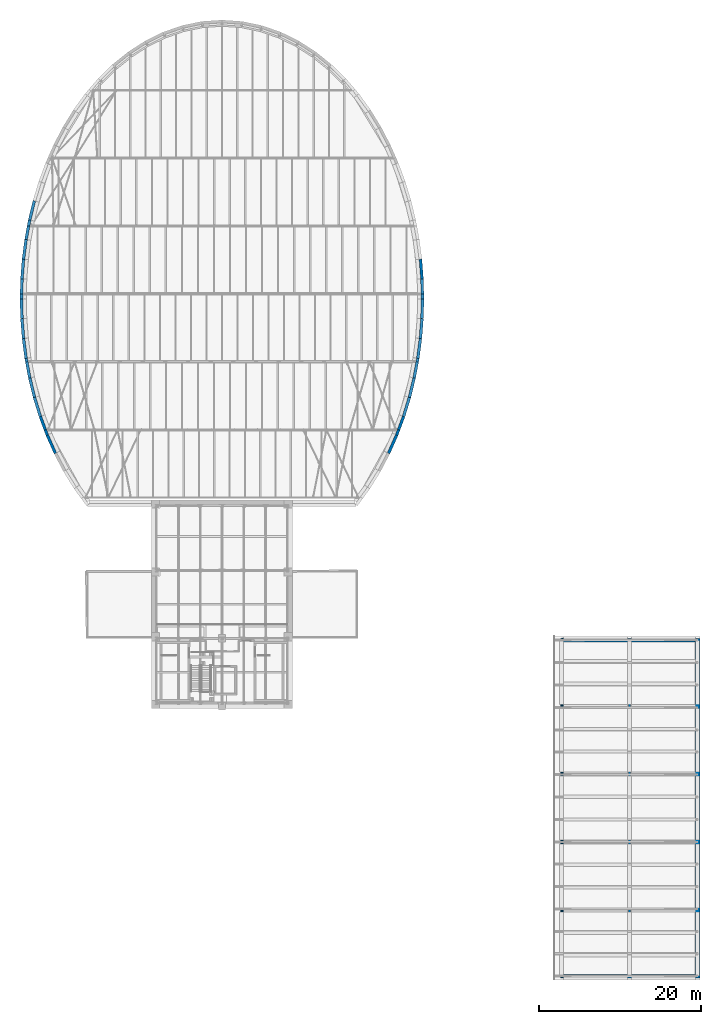
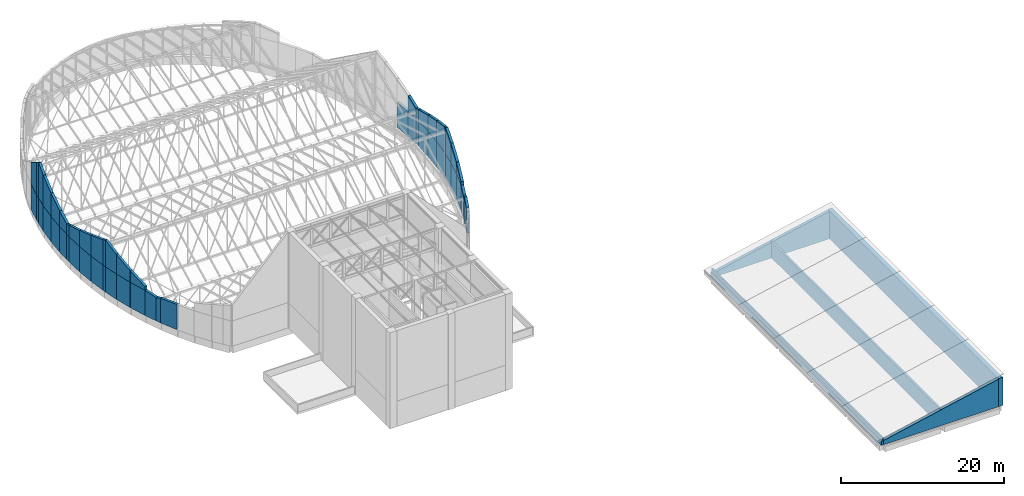
# One storey, part 37 of 68: 59 walls.
"""IFC4 building model written with IfcOpenShell, lengths in metres."""

from ifc_helpers import new_model, si_unit, direction, frame, frame_2d, origin, place, context, subcontext, project, spatial, polyline, rectangle, outline, extrude, material, layer, layer_set, type_object, element, save


model = new_model("IFC4")

# Units and contexts
model_context = context("Model", 3, precision=1e-05, world=origin(), true_north=direction((0.0, 1.0)))
body_context = subcontext(model_context, "Body", "Model", "MODEL_VIEW")
ifc_project = project(units=[si_unit("LENGTHUNIT", "METRE"), si_unit("AREAUNIT", "SQUARE_METRE"), si_unit("VOLUMEUNIT", "CUBIC_METRE"), si_unit("PLANEANGLEUNIT", "RADIAN"), si_unit("MASSUNIT", "GRAM", prefix="KILO")], contexts=[model_context])

# Site, building, storey
site_placement = place(None, origin())
site = spatial("IfcSite", under=ifc_project, at=site_placement, CompositionType="ELEMENT")
building_placement = place(site_placement, origin())
building = spatial("IfcBuilding", under=site, at=building_placement, Name="Larchfold Concert Hall", CompositionType="ELEMENT")
storey_placement = place(building_placement, frame((0.0, 0.0, 28.800048828125)))
storey = spatial("IfcBuildingStorey", under=building, at=storey_placement, Name="L06", CompositionType="ELEMENT", Elevation=28.800048828125)

# Walls
ifc_material_1 = material(Name="White mineral panel on mineral wool")
ifc_layer_1 = layer(ifc_material_1, 0.35009765625)
ifc_layer_set_1 = layer_set([ifc_layer_1], Name="White mineral panel on mineral wool")
wall_type_1 = type_object("IfcWallType", Name="Insulated panel wall 350", PredefinedType="SOLIDWALL", material=ifc_layer_set_1)
wall_1_placement = place(storey_placement, frame((67.4052734375, 84.60009765625, 0.0), z_axis=(0.0, 0.0, 1.0), x_axis=(-0.025949843503, -0.999663246109, 0.0)))
element("IfcWall", 1, at=wall_1_placement, inside=storey, type_object=wall_type_1, Name="Infill wall W5214", PredefinedType="SOLIDWALL", context=body_context, shape_type="SweptSolid", body=[
    extrude(rectangle(XDim=2.46484375, YDim=0.35009765625, at=frame_2d((1.232421875, 0.0))), origin(), (0.0, 0.0, 1.0), 3.800048828125),
])
wall_2_placement = place(storey_placement, frame((67.4052734375, 84.60009765625, 3.800048828125), z_axis=(0.0, 0.0, 1.0), x_axis=(-0.025949843503, -0.999663246109, 0.0)))
element("IfcWall", 2, at=wall_2_placement, inside=storey, type_object=wall_type_1, Name="Infill wall W5215", PredefinedType="SOLIDWALL", context=body_context, shape_type="SweptSolid", body=[
    extrude(outline(polyline([(0.0, 0.0), (2.46484375, 0.0), (2.46484375, 2.41748046875), (0.0, 1.724853515625), (0.0, 0.0)])), frame((0.0, 0.175048828125, 0.0), z_axis=(0.0, -1.0, 0.0), x_axis=(1.0, 0.0, 0.0)), (0.0, 0.0, 1.0), 0.35009765625),
])
wall_3_placement = place(storey_placement, frame((67.34130859375, 82.135986328125, 0.0), z_axis=(0.0, 0.0, 1.0), x_axis=(-0.078044555846, -0.996949872011, 0.0)))
element("IfcWall", 3, at=wall_3_placement, inside=storey, type_object=wall_type_1, Name="Infill wall W5216", PredefinedType="SOLIDWALL", context=body_context, shape_type="SweptSolid", body=[
    extrude(rectangle(XDim=2.465087890625, YDim=0.35009765625, at=frame_2d((1.232421875, 0.0))), origin(), (0.0, 0.0, 1.0), 3.800048828125),
])
wall_4_placement = place(storey_placement, frame((67.34130859375, 82.135986328125, 3.800048828125), z_axis=(0.0, 0.0, 1.0), x_axis=(-0.078044555846, -0.996949872011, 0.0)))
element("IfcWall", 4, at=wall_4_placement, inside=storey, type_object=wall_type_1, Name="Infill wall W5217", PredefinedType="SOLIDWALL", context=body_context, shape_type="SweptSolid", body=[
    extrude(outline(polyline([(0.0, 0.0), (2.465087890625, 0.0), (2.465087890625, 3.11962890625), (0.0, 2.428955078125), (0.0, 0.0)])), frame((0.0, 0.175048828125, 0.0), z_axis=(0.0, -1.0, 0.0), x_axis=(1.0, 0.0, 0.0)), (0.0, 0.0, 1.0), 0.35009765625),
])
wall_5_placement = place(storey_placement, frame((67.14892578125, 79.678466796875, 0.0), z_axis=(0.0, 0.0, 1.0), x_axis=(-0.130528805694, -0.9914445173, 0.0)))
element("IfcWall", 5, at=wall_5_placement, inside=storey, type_object=wall_type_1, Name="Infill wall W5218", PredefinedType="SOLIDWALL", context=body_context, shape_type="SweptSolid", body=[
    extrude(rectangle(XDim=2.465087890625, YDim=0.35009765625, at=frame_2d((1.232421875, 0.0))), origin(), (0.0, 0.0, 1.0), 3.800048828125),
])
wall_6_placement = place(storey_placement, frame((67.14892578125, 79.678466796875, 3.800048828125), z_axis=(0.0, 0.0, 1.0), x_axis=(-0.130528805694, -0.9914445173, 0.0)))
element("IfcWall", 6, at=wall_6_placement, inside=storey, type_object=wall_type_1, Name="Infill wall W5219", PredefinedType="SOLIDWALL", context=body_context, shape_type="SweptSolid", body=[
    extrude(outline(polyline([(0.0, 0.0), (2.465087890625, 0.0), (2.465087890625, 3.81787109375), (0.0, 3.131103515625), (0.0, 0.0)])), frame((0.0, 0.175048828125, 0.0), z_axis=(0.0, -1.0, 0.0), x_axis=(1.0, 0.0, 0.0)), (0.0, 0.0, 1.0), 0.35009765625),
])
wall_7_placement = place(storey_placement, frame((66.8271484375, 77.234375, 0.0), z_axis=(0.0, 0.0, 1.0), x_axis=(-0.183454395516, -0.983028221755, 0.0)))
element("IfcWall", 7, at=wall_7_placement, inside=storey, type_object=wall_type_1, Name="Infill wall W5220", PredefinedType="SOLIDWALL", context=body_context, shape_type="SweptSolid", body=[
    extrude(rectangle(XDim=0.44189453125, YDim=0.35009765625, at=frame_2d((0.220947265625, 0.0))), origin(), (0.0, 0.0, 1.0), 3.800048828125),
])
wall_8_placement = place(storey_placement, frame((66.8271484375, 77.234375, 3.800048828125), z_axis=(0.0, 0.0, 1.0), x_axis=(-0.183454395516, -0.983028221755, 0.0)))
element("IfcWall", 8, at=wall_8_placement, inside=storey, type_object=wall_type_1, Name="Infill wall W5221", PredefinedType="SOLIDWALL", context=body_context, shape_type="SweptSolid", body=[
    extrude(outline(polyline([(0.0, 0.0), (0.44189453125, 0.0), (0.44189453125, 3.942138671875), (0.0, 3.8291015625), (0.0, 0.0)])), frame((0.0, 0.175048828125, 0.0), z_axis=(0.0, -1.0, 0.0), x_axis=(1.0, 0.0, 0.0)), (0.0, 0.0, 1.0), 0.35009765625),
])
wall_9_placement = place(storey_placement, frame((66.74609375, 76.800048828125, 0.0), z_axis=(0.0, 0.0, 1.0), x_axis=(-0.183480016233, -0.983023440027, 0.0)))
element("IfcWall", 9, at=wall_9_placement, inside=storey, type_object=wall_type_1, Name="Infill wall W5222", PredefinedType="SOLIDWALL", context=body_context, shape_type="SweptSolid", body=[
    extrude(rectangle(XDim=2.02392578125, YDim=0.35009765625, at=frame_2d((1.011962890625, 0.0))), origin(), (0.0, 0.0, 1.0), 3.800048828125),
])
wall_10_placement = place(storey_placement, frame((66.74609375, 76.800048828125, 3.800048828125), z_axis=(0.0, 0.0, 1.0), x_axis=(-0.183480016233, -0.983023440027, 0.0)))
element("IfcWall", 10, at=wall_10_placement, inside=storey, type_object=wall_type_1, Name="Infill wall W5223", PredefinedType="SOLIDWALL", context=body_context, shape_type="SweptSolid", body=[
    extrude(outline(polyline([(0.0, 0.0), (2.02392578125, 0.0), (2.02392578125, 2.93994140625), (0.0, 3.953369140625), (0.0, 0.0)])), frame((0.0, 0.175048828125, 0.0), z_axis=(0.0, -1.0, 0.0), x_axis=(1.0, 0.0, 0.0)), (0.0, 0.0, 1.0), 0.35009765625),
])
wall_11_placement = place(storey_placement, frame((66.374755859375, 74.810546875, 0.0), z_axis=(0.0, 0.0, 1.0), x_axis=(-0.237500837129, -0.97138733385, 0.0)))
element("IfcWall", 11, at=wall_11_placement, inside=storey, type_object=wall_type_1, Name="Infill wall W5224", PredefinedType="SOLIDWALL", context=body_context, shape_type="SweptSolid", body=[
    extrude(rectangle(XDim=2.466064453125, YDim=0.35009765625, at=frame_2d((1.23291015625, 0.0))), origin(), (0.0, 0.0, 1.0), 3.800048828125),
])
wall_12_placement = place(storey_placement, frame((66.374755859375, 74.810546875, 3.800048828125), z_axis=(0.0, 0.0, 1.0), x_axis=(-0.237500837129, -0.97138733385, 0.0)))
element("IfcWall", 12, at=wall_12_placement, inside=storey, type_object=wall_type_1, Name="Infill wall W5225", PredefinedType="SOLIDWALL", context=body_context, shape_type="SweptSolid", body=[
    extrude(outline(polyline([(0.0, 0.0), (2.466064453125, 0.0), (2.466064453125, 1.72802734375), (0.0, 2.920166015625), (0.0, 0.0)])), frame((0.0, 0.175048828125, 0.0), z_axis=(0.0, -1.0, 0.0), x_axis=(1.0, 0.0, 0.0)), (0.0, 0.0, 1.0), 0.35009765625),
])
wall_13_placement = place(storey_placement, frame((65.7890625, 72.4150390625, 0.0), z_axis=(0.0, 0.0, 1.0), x_axis=(-0.292464945392, -0.956276244459, 0.0)))
element("IfcWall", 13, at=wall_13_placement, inside=storey, type_object=wall_type_1, Name="Infill wall W5226", PredefinedType="SOLIDWALL", context=body_context, shape_type="SweptSolid", body=[
    extrude(rectangle(XDim=2.466796875, YDim=0.35009765625, at=frame_2d((1.2333984375, 0.0))), origin(), (0.0, 0.0, 1.0), 3.800048828125),
])
wall_14_placement = place(storey_placement, frame((65.7890625, 72.4150390625, 3.800048828125), z_axis=(0.0, 0.0, 1.0), x_axis=(-0.292464945392, -0.956276244459, 0.0)))
element("IfcWall", 14, at=wall_14_placement, inside=storey, type_object=wall_type_1, Name="Infill wall W5227", PredefinedType="SOLIDWALL", context=body_context, shape_type="SweptSolid", body=[
    extrude(outline(polyline([(0.0, 0.0), (2.466796875, 0.0), (2.466796875, 0.534423828125), (0.0, 1.70849609375), (0.0, 0.0)])), frame((0.0, 0.175048828125, 0.0), z_axis=(0.0, -1.0, 0.0), x_axis=(1.0, 0.0, 0.0)), (0.0, 0.0, 1.0), 0.35009765625),
])
wall_15_placement = place(storey_placement, frame((65.067626953125, 70.05615234375, 0.0), z_axis=(0.0, 0.0, 1.0), x_axis=(-0.348821192669, -0.937189295471, 0.0)))
element("IfcWall", 15, at=wall_15_placement, inside=storey, type_object=wall_type_1, Name="Infill wall W5228", PredefinedType="SOLIDWALL", context=body_context, shape_type="SweptSolid", body=[
    extrude(outline(polyline([(0.0, 0.0), (1.767333984375, 0.0), (1.76708984375, 3.496337890625), (0.0, 3.800048828125), (0.0, 0.0)])), frame((0.0, 0.175048828125, 0.0), z_axis=(0.0, -1.0, 0.0), x_axis=(1.0, 0.0, 0.0)), (0.0, 0.0, 1.0), 0.35009765625),
])
wall_16_placement = place(storey_placement, frame((64.451171875, 68.39990234375, 0.0), z_axis=(0.0, 0.0, 1.0), x_axis=(-0.34898296081, -0.937129069587, 0.0)))
element("IfcWall", 16, at=wall_16_placement, inside=storey, type_object=wall_type_1, Name="Infill wall W5229", PredefinedType="SOLIDWALL", context=body_context, shape_type="SweptSolid", body=[
    extrude(outline(polyline([(0.0, 0.0), (0.7001953125, 0.0), (0.700439453125, 3.685302734375), (0.0, 3.477294921875), (0.0, 0.0)])), frame((0.0, 0.175048828125, 0.0), z_axis=(0.0, -1.0, 0.0), x_axis=(1.0, 0.0, 0.0)), (0.0, 0.0, 1.0), 0.35009765625),
])
wall_17_placement = place(storey_placement, frame((64.206787109375, 67.74365234375, 0.0), z_axis=(0.0, 0.0, 1.0), x_axis=(-0.406771525985, -0.913529925973, 0.0)))
element("IfcWall", 17, at=wall_17_placement, inside=storey, type_object=wall_type_1, Name="Infill wall W5230", PredefinedType="SOLIDWALL", context=body_context, shape_type="SweptSolid", body=[
    extrude(outline(polyline([(0.0, 0.0), (2.468505859375, 0.0), (2.468505859375, 3.800048828125), (0.0, 3.69580078125), (0.0, 0.0)])), frame((0.0, 0.175048828125, 0.0), z_axis=(0.0, -1.0, 0.0), x_axis=(1.0, 0.0, 0.0)), (0.0, 0.0, 1.0), 0.35009765625),
])
wall_18_placement = place(storey_placement, frame((21.99755859375, 65.488525390625, 0.0), z_axis=(0.0, 0.0, 1.0), x_axis=(-0.406771525985, 0.913529925973, 0.0)))
element("IfcWall", 18, at=wall_18_placement, inside=storey, type_object=wall_type_1, Name="Infill wall W5249", PredefinedType="SOLIDWALL", context=body_context, shape_type="SweptSolid", body=[
    extrude(outline(polyline([(0.0, 0.0), (2.468505859375, 0.0), (2.468505859375, 3.69580078125), (0.0, 3.800048828125), (0.0, 0.0)])), frame((0.0, 0.175048828125, 0.0), z_axis=(0.0, -1.0, 0.0), x_axis=(1.0, 0.0, 0.0)), (0.0, 0.0, 1.0), 0.35009765625),
])
wall_19_placement = place(storey_placement, frame((20.993408203125, 67.74365234375, 0.0), z_axis=(0.0, 0.0, 1.0), x_axis=(-0.34898296081, 0.937129069587, 0.0)))
element("IfcWall", 19, at=wall_19_placement, inside=storey, type_object=wall_type_1, Name="Infill wall W5250", PredefinedType="SOLIDWALL", context=body_context, shape_type="SweptSolid", body=[
    extrude(outline(polyline([(0.0, 0.0), (0.7001953125, 0.0), (0.700439453125, 3.477294921875), (0.0, 3.685302734375), (0.0, 0.0)])), frame((0.0, 0.175048828125, 0.0), z_axis=(0.0, -1.0, 0.0), x_axis=(1.0, 0.0, 0.0)), (0.0, 0.0, 1.0), 0.35009765625),
])
wall_20_placement = place(storey_placement, frame((20.7490234375, 68.39990234375, 0.0), z_axis=(0.0, 0.0, 1.0), x_axis=(-0.348821192669, 0.937189295471, 0.0)))
element("IfcWall", 20, at=wall_20_placement, inside=storey, type_object=wall_type_1, Name="Infill wall W5251", PredefinedType="SOLIDWALL", context=body_context, shape_type="SweptSolid", body=[
    extrude(outline(polyline([(0.0, 0.0), (1.767333984375, 0.0), (1.76708984375, 3.800048828125), (0.0, 3.496337890625), (0.0, 0.0)])), frame((0.0, 0.175048828125, 0.0), z_axis=(0.0, -1.0, 0.0), x_axis=(1.0, 0.0, 0.0)), (0.0, 0.0, 1.0), 0.35009765625),
])
wall_21_placement = place(storey_placement, frame((20.132568359375, 70.05615234375, 0.0), z_axis=(0.0, 0.0, 1.0), x_axis=(-0.292464945392, 0.956276244459, 0.0)))
element("IfcWall", 21, at=wall_21_placement, inside=storey, type_object=wall_type_1, Name="Infill wall W5252", PredefinedType="SOLIDWALL", context=body_context, shape_type="SweptSolid", body=[
    extrude(rectangle(XDim=2.466796875, YDim=0.35009765625, at=frame_2d((1.2333984375, 0.0))), origin(), (0.0, 0.0, 1.0), 3.800048828125),
])
wall_22_placement = place(storey_placement, frame((20.132568359375, 70.05615234375, 3.800048828125), z_axis=(0.0, 0.0, 1.0), x_axis=(-0.292464945392, 0.956276244459, 0.0)))
element("IfcWall", 22, at=wall_22_placement, inside=storey, type_object=wall_type_1, Name="Infill wall W5253", PredefinedType="SOLIDWALL", context=body_context, shape_type="SweptSolid", body=[
    extrude(outline(polyline([(0.0, 0.0), (2.466796875, 0.0), (2.466796875, 1.70849609375), (0.0, 0.534423828125), (0.0, 0.0)])), frame((0.0, 0.175048828125, 0.0), z_axis=(0.0, -1.0, 0.0), x_axis=(1.0, 0.0, 0.0)), (0.0, 0.0, 1.0), 0.35009765625),
])
wall_23_placement = place(storey_placement, frame((19.4111328125, 72.4150390625, 0.0), z_axis=(0.0, 0.0, 1.0), x_axis=(-0.237500837129, 0.97138733385, 0.0)))
element("IfcWall", 23, at=wall_23_placement, inside=storey, type_object=wall_type_1, Name="Infill wall W5254", PredefinedType="SOLIDWALL", context=body_context, shape_type="SweptSolid", body=[
    extrude(rectangle(XDim=2.466064453125, YDim=0.35009765625, at=frame_2d((1.23291015625, 0.0))), origin(), (0.0, 0.0, 1.0), 3.800048828125),
])
wall_24_placement = place(storey_placement, frame((19.4111328125, 72.4150390625, 3.800048828125), z_axis=(0.0, 0.0, 1.0), x_axis=(-0.237500837129, 0.97138733385, 0.0)))
element("IfcWall", 24, at=wall_24_placement, inside=storey, type_object=wall_type_1, Name="Infill wall W5255", PredefinedType="SOLIDWALL", context=body_context, shape_type="SweptSolid", body=[
    extrude(outline(polyline([(0.0, 0.0), (2.466064453125, 0.0), (2.466064453125, 2.920166015625), (0.0, 1.72802734375), (0.0, 0.0)])), frame((0.0, 0.175048828125, 0.0), z_axis=(0.0, -1.0, 0.0), x_axis=(1.0, 0.0, 0.0)), (0.0, 0.0, 1.0), 0.35009765625),
])
wall_25_placement = place(storey_placement, frame((18.825439453125, 74.810546875, 0.0), z_axis=(0.0, 0.0, 1.0), x_axis=(-0.183480016233, 0.983023440027, 0.0)))
element("IfcWall", 25, at=wall_25_placement, inside=storey, type_object=wall_type_1, Name="Infill wall W5256", PredefinedType="SOLIDWALL", context=body_context, shape_type="SweptSolid", body=[
    extrude(rectangle(XDim=2.02392578125, YDim=0.35009765625, at=frame_2d((1.011962890625, 0.0))), origin(), (0.0, 0.0, 1.0), 3.800048828125),
])
wall_26_placement = place(storey_placement, frame((18.825439453125, 74.810546875, 3.800048828125), z_axis=(0.0, 0.0, 1.0), x_axis=(-0.183480016233, 0.983023440027, 0.0)))
element("IfcWall", 26, at=wall_26_placement, inside=storey, type_object=wall_type_1, Name="Infill wall W5257", PredefinedType="SOLIDWALL", context=body_context, shape_type="SweptSolid", body=[
    extrude(outline(polyline([(0.0, 0.0), (2.02392578125, 0.0), (2.02392578125, 3.953369140625), (0.0, 2.93994140625), (0.0, 0.0)])), frame((0.0, 0.175048828125, 0.0), z_axis=(0.0, -1.0, 0.0), x_axis=(1.0, 0.0, 0.0)), (0.0, 0.0, 1.0), 0.35009765625),
])
wall_27_placement = place(storey_placement, frame((18.4541015625, 76.800048828125, 0.0), z_axis=(0.0, 0.0, 1.0), x_axis=(-0.183454395516, 0.983028221755, 0.0)))
element("IfcWall", 27, at=wall_27_placement, inside=storey, type_object=wall_type_1, Name="Infill wall W5258", PredefinedType="SOLIDWALL", context=body_context, shape_type="SweptSolid", body=[
    extrude(rectangle(XDim=0.44189453125, YDim=0.35009765625, at=frame_2d((0.220947265625, 0.0))), origin(), (0.0, 0.0, 1.0), 3.800048828125),
])
wall_28_placement = place(storey_placement, frame((18.4541015625, 76.800048828125, 3.800048828125), z_axis=(0.0, 0.0, 1.0), x_axis=(-0.183454395516, 0.983028221755, 0.0)))
element("IfcWall", 28, at=wall_28_placement, inside=storey, type_object=wall_type_1, Name="Infill wall W5259", PredefinedType="SOLIDWALL", context=body_context, shape_type="SweptSolid", body=[
    extrude(outline(polyline([(0.0, 0.0), (0.44189453125, 0.0), (0.44189453125, 3.8291015625), (0.0, 3.942138671875), (0.0, 0.0)])), frame((0.0, 0.175048828125, 0.0), z_axis=(0.0, -1.0, 0.0), x_axis=(1.0, 0.0, 0.0)), (0.0, 0.0, 1.0), 0.35009765625),
])
wall_29_placement = place(storey_placement, frame((18.373046875, 77.234375, 0.0), z_axis=(0.0, 0.0, 1.0), x_axis=(-0.130528805694, 0.9914445173, 0.0)))
element("IfcWall", 29, at=wall_29_placement, inside=storey, type_object=wall_type_1, Name="Infill wall W5260", PredefinedType="SOLIDWALL", context=body_context, shape_type="SweptSolid", body=[
    extrude(rectangle(XDim=2.465087890625, YDim=0.35009765625, at=frame_2d((1.232421875, 0.0))), origin(), (0.0, 0.0, 1.0), 3.800048828125),
])
wall_30_placement = place(storey_placement, frame((18.373046875, 77.234375, 3.800048828125), z_axis=(0.0, 0.0, 1.0), x_axis=(-0.130528805694, 0.9914445173, 0.0)))
element("IfcWall", 30, at=wall_30_placement, inside=storey, type_object=wall_type_1, Name="Infill wall W5261", PredefinedType="SOLIDWALL", context=body_context, shape_type="SweptSolid", body=[
    extrude(outline(polyline([(0.0, 0.0), (2.465087890625, 0.0), (2.465087890625, 3.131103515625), (0.0, 3.81787109375), (0.0, 0.0)])), frame((0.0, 0.175048828125, 0.0), z_axis=(0.0, -1.0, 0.0), x_axis=(1.0, 0.0, 0.0)), (0.0, 0.0, 1.0), 0.35009765625),
])
wall_31_placement = place(storey_placement, frame((18.05126953125, 79.678466796875, 0.0), z_axis=(0.0, 0.0, 1.0), x_axis=(-0.078044555846, 0.996949872011, 0.0)))
element("IfcWall", 31, at=wall_31_placement, inside=storey, type_object=wall_type_1, Name="Infill wall W5262", PredefinedType="SOLIDWALL", context=body_context, shape_type="SweptSolid", body=[
    extrude(rectangle(XDim=2.465087890625, YDim=0.35009765625, at=frame_2d((1.232421875, 0.0))), origin(), (0.0, 0.0, 1.0), 3.800048828125),
])
wall_32_placement = place(storey_placement, frame((18.05126953125, 79.678466796875, 3.800048828125), z_axis=(0.0, 0.0, 1.0), x_axis=(-0.078044555846, 0.996949872011, 0.0)))
element("IfcWall", 32, at=wall_32_placement, inside=storey, type_object=wall_type_1, Name="Infill wall W5263", PredefinedType="SOLIDWALL", context=body_context, shape_type="SweptSolid", body=[
    extrude(outline(polyline([(0.0, 0.0), (2.465087890625, 0.0), (2.465087890625, 2.428955078125), (0.0, 3.11962890625), (0.0, 0.0)])), frame((0.0, 0.175048828125, 0.0), z_axis=(0.0, -1.0, 0.0), x_axis=(1.0, 0.0, 0.0)), (0.0, 0.0, 1.0), 0.35009765625),
])
wall_33_placement = place(storey_placement, frame((17.85888671875, 82.135986328125, 0.0), z_axis=(0.0, 0.0, 1.0), x_axis=(-0.025949843503, 0.999663246109, 0.0)))
element("IfcWall", 33, at=wall_33_placement, inside=storey, type_object=wall_type_1, Name="Infill wall W5264", PredefinedType="SOLIDWALL", context=body_context, shape_type="SweptSolid", body=[
    extrude(rectangle(XDim=2.46484375, YDim=0.35009765625, at=frame_2d((1.232421875, 0.0))), origin(), (0.0, 0.0, 1.0), 3.800048828125),
])
wall_34_placement = place(storey_placement, frame((17.85888671875, 82.135986328125, 3.800048828125), z_axis=(0.0, 0.0, 1.0), x_axis=(-0.025949843503, 0.999663246109, 0.0)))
element("IfcWall", 34, at=wall_34_placement, inside=storey, type_object=wall_type_1, Name="Infill wall W5265", PredefinedType="SOLIDWALL", context=body_context, shape_type="SweptSolid", body=[
    extrude(outline(polyline([(0.0, 0.0), (2.46484375, 0.0), (2.46484375, 1.724853515625), (0.0, 2.41748046875), (0.0, 0.0)])), frame((0.0, 0.175048828125, 0.0), z_axis=(0.0, -1.0, 0.0), x_axis=(1.0, 0.0, 0.0)), (0.0, 0.0, 1.0), 0.35009765625),
])
wall_35_placement = place(storey_placement, frame((17.794921875, 84.60009765625, 0.0), z_axis=(0.0, 0.0, 1.0), x_axis=(0.026039193754, 0.999660922708, 0.0)))
element("IfcWall", 35, at=wall_35_placement, inside=storey, type_object=wall_type_1, Name="Infill wall W5266", PredefinedType="SOLIDWALL", context=body_context, shape_type="SweptSolid", body=[
    extrude(rectangle(XDim=0.60009765625, YDim=0.35009765625, at=frame_2d((0.300048828125, 0.0))), origin(), (0.0, 0.0, 1.0), 3.800048828125),
])
wall_36_placement = place(storey_placement, frame((17.794921875, 84.60009765625, 3.800048828125), z_axis=(0.0, 0.0, 1.0), x_axis=(0.026039193754, 0.999660922708, 0.0)))
element("IfcWall", 36, at=wall_36_placement, inside=storey, type_object=wall_type_1, Name="Infill wall W5267", PredefinedType="SOLIDWALL", context=body_context, shape_type="SweptSolid", body=[
    extrude(outline(polyline([(0.0, 0.0), (0.60009765625, 0.0), (0.60009765625, 1.553466796875), (0.0, 1.713623046875), (0.0, 0.0)])), frame((0.0, 0.175048828125, 0.0), z_axis=(0.0, -1.0, 0.0), x_axis=(1.0, 0.0, 0.0)), (0.0, 0.0, 1.0), 0.35009765625),
])
wall_37_placement = place(storey_placement, frame((17.810546875, 85.199951171875, 0.0), z_axis=(0.0, 0.0, 1.0), x_axis=(0.02573744438, 0.999668737111, 0.0)))
element("IfcWall", 37, at=wall_37_placement, inside=storey, type_object=wall_type_1, Name="Infill wall W5268", PredefinedType="SOLIDWALL", context=body_context, shape_type="SweptSolid", body=[
    extrude(rectangle(XDim=1.849853515625, YDim=0.35009765625, at=frame_2d((0.9248046875, 0.0))), origin(), (0.0, 0.0, 1.0), 3.800048828125),
])
wall_38_placement = place(storey_placement, frame((17.810546875, 85.199951171875, 3.800048828125), z_axis=(0.0, 0.0, 1.0), x_axis=(0.02573744438, 0.999668737111, 0.0)))
element("IfcWall", 38, at=wall_38_placement, inside=storey, type_object=wall_type_1, Name="Infill wall W5269", PredefinedType="SOLIDWALL", context=body_context, shape_type="SweptSolid", body=[
    extrude(outline(polyline([(0.0, 0.0), (1.849853515625, 0.0), (1.849609375, 2.366455078125), (0.0, 1.548095703125), (0.0, 0.0)])), frame((0.0, 0.175048828125, 0.0), z_axis=(0.0, -1.0, 0.0), x_axis=(1.0, 0.0, 0.0)), (0.0, 0.0, 1.0), 0.35009765625),
])
wall_39_placement = place(storey_placement, frame((17.858154296875, 87.049072265625, 0.0), z_axis=(0.0, 0.0, 1.0), x_axis=(0.077534780685, 0.996989647782, 0.0)))
element("IfcWall", 39, at=wall_39_placement, inside=storey, type_object=wall_type_1, Name="Infill wall W5270", PredefinedType="SOLIDWALL", context=body_context, shape_type="SweptSolid", body=[
    extrude(rectangle(XDim=2.44970703125, YDim=0.35009765625, at=frame_2d((1.224853515625, 0.0))), origin(), (0.0, 0.0, 1.0), 3.800048828125),
])
wall_40_placement = place(storey_placement, frame((17.858154296875, 87.049072265625, 3.800048828125), z_axis=(0.0, 0.0, 1.0), x_axis=(0.077534780685, 0.996989647782, 0.0)))
element("IfcWall", 40, at=wall_40_placement, inside=storey, type_object=wall_type_1, Name="Infill wall W5271", PredefinedType="SOLIDWALL", context=body_context, shape_type="SweptSolid", body=[
    extrude(outline(polyline([(0.0, 0.0), (2.44970703125, 0.0), (2.44970703125, 3.47119140625), (0.0, 2.384521484375), (0.0, 0.0)])), frame((0.0, 0.175048828125, 0.0), z_axis=(0.0, -1.0, 0.0), x_axis=(1.0, 0.0, 0.0)), (0.0, 0.0, 1.0), 0.35009765625),
])
wall_41_placement = place(storey_placement, frame((18.048095703125, 89.491455078125, 0.0), z_axis=(0.0, 0.0, 1.0), x_axis=(0.129748157717, 0.99154698102, 0.0)))
element("IfcWall", 41, at=wall_41_placement, inside=storey, type_object=wall_type_1, Name="Infill wall W5272", PredefinedType="SOLIDWALL", context=body_context, shape_type="SweptSolid", body=[
    extrude(rectangle(XDim=2.449951171875, YDim=0.35009765625, at=frame_2d((1.22509765625, 0.0))), origin(), (0.0, 0.0, 1.0), 3.800048828125),
])
wall_42_placement = place(storey_placement, frame((18.048095703125, 89.491455078125, 3.800048828125), z_axis=(0.0, 0.0, 1.0), x_axis=(0.129748157717, 0.99154698102, 0.0)))
element("IfcWall", 42, at=wall_42_placement, inside=storey, type_object=wall_type_1, Name="Infill wall W5273", PredefinedType="SOLIDWALL", context=body_context, shape_type="SweptSolid", body=[
    extrude(outline(polyline([(0.0, 0.0), (2.449951171875, 0.0), (2.449951171875, 4.570068359375), (0.0, 3.4892578125), (0.0, 0.0)])), frame((0.0, 0.175048828125, 0.0), z_axis=(0.0, -1.0, 0.0), x_axis=(1.0, 0.0, 0.0)), (0.0, 0.0, 1.0), 0.35009765625),
])
wall_43_placement = place(storey_placement, frame((18.365966796875, 91.920654296875, 0.0), z_axis=(0.0, 0.0, 1.0), x_axis=(0.182242809401, 0.983253557543, 0.0)))
element("IfcWall", 43, at=wall_43_placement, inside=storey, type_object=wall_type_1, Name="Infill wall W5274", PredefinedType="SOLIDWALL", context=body_context, shape_type="SweptSolid", body=[
    extrude(rectangle(XDim=1.7080078125, YDim=0.35009765625, at=frame_2d((0.85400390625, 0.0))), origin(), (0.0, 0.0, 1.0), 3.800048828125),
])
wall_44_placement = place(storey_placement, frame((18.365966796875, 91.920654296875, 3.800048828125), z_axis=(0.0, 0.0, 1.0), x_axis=(0.182242809401, 0.983253557543, 0.0)))
element("IfcWall", 44, at=wall_44_placement, inside=storey, type_object=wall_type_1, Name="Infill wall W5275", PredefinedType="SOLIDWALL", context=body_context, shape_type="SweptSolid", body=[
    extrude(outline(polyline([(0.0, 0.0), (1.7080078125, 0.0), (1.7080078125, 5.329833984375), (0.0, 4.588134765625), (0.0, 0.0)])), frame((0.0, 0.175048828125, 0.0), z_axis=(0.0, -1.0, 0.0), x_axis=(1.0, 0.0, 0.0)), (0.0, 0.0, 1.0), 0.35009765625),
])
wall_45_placement = place(storey_placement, frame((18.67724609375, 93.60009765625, 0.0), z_axis=(0.0, 0.0, 1.0), x_axis=(0.182560396657, 0.983194640736, 0.0)))
element("IfcWall", 45, at=wall_45_placement, inside=storey, type_object=wall_type_1, Name="Infill wall W5276", PredefinedType="SOLIDWALL", context=body_context, shape_type="SweptSolid", body=[
    extrude(rectangle(XDim=0.7421875, YDim=0.35009765625, at=frame_2d((0.37109375, 0.0))), origin(), (0.0, 0.0, 1.0), 3.800048828125),
])
wall_46_placement = place(storey_placement, frame((18.67724609375, 93.60009765625, 3.800048828125), z_axis=(0.0, 0.0, 1.0), x_axis=(0.182560396657, 0.983194640736, 0.0)))
element("IfcWall", 46, at=wall_46_placement, inside=storey, type_object=wall_type_1, Name="Infill wall W5277", PredefinedType="SOLIDWALL", context=body_context, shape_type="SweptSolid", body=[
    extrude(outline(polyline([(0.0, 0.0), (0.7421875, 0.0), (0.742431640625, 4.853759765625), (0.0, 5.34765625), (0.0, 0.0)])), frame((0.0, 0.175048828125, 0.0), z_axis=(0.0, -1.0, 0.0), x_axis=(1.0, 0.0, 0.0)), (0.0, 0.0, 1.0), 0.35009765625),
])
wall_47_placement = place(storey_placement, frame((18.812744140625, 94.329833984375, 0.0), z_axis=(0.0, 0.0, 1.0), x_axis=(0.235873702979, 0.971783718861, 0.0)))
element("IfcWall", 47, at=wall_47_placement, inside=storey, type_object=wall_type_1, Name="Infill wall W5278", PredefinedType="SOLIDWALL", context=body_context, shape_type="SweptSolid", body=[
    extrude(rectangle(XDim=2.450927734375, YDim=0.35009765625, at=frame_2d((1.2255859375, 0.0))), origin(), (0.0, 0.0, 1.0), 3.800048828125),
])
wall_48_placement = place(storey_placement, frame((18.812744140625, 94.329833984375, 3.800048828125), z_axis=(0.0, 0.0, 1.0), x_axis=(0.235873702979, 0.971783718861, 0.0)))
element("IfcWall", 48, at=wall_48_placement, inside=storey, type_object=wall_type_1, Name="Infill wall W5279", PredefinedType="SOLIDWALL", context=body_context, shape_type="SweptSolid", body=[
    extrude(outline(polyline([(0.0, 0.0), (2.450927734375, 0.0), (2.450927734375, 3.251708984375), (0.0, 4.82763671875), (0.0, 0.0)])), frame((0.0, 0.175048828125, 0.0), z_axis=(0.0, -1.0, 0.0), x_axis=(1.0, 0.0, 0.0)), (0.0, 0.0, 1.0), 0.35009765625),
])
wall_49_placement = place(storey_placement, frame((67.152099609375, 89.491455078125, 0.0), z_axis=(0.0, 0.0, 1.0), x_axis=(0.077534780685, -0.996989647782, 0.0)))
element("IfcWall", 49, at=wall_49_placement, inside=storey, type_object=wall_type_1, Name="Infill wall W5332", PredefinedType="SOLIDWALL", context=body_context, shape_type="SweptSolid", body=[
    extrude(rectangle(XDim=2.44970703125, YDim=0.35009765625, at=frame_2d((1.224853515625, 0.0))), origin(), (0.0, 0.0, 1.0), 3.800048828125),
])
wall_50_placement = place(storey_placement, frame((67.342041015625, 87.049072265625, 0.0), z_axis=(0.0, 0.0, 1.0), x_axis=(0.02573744438, -0.999668737111, 0.0)))
element("IfcWall", 50, at=wall_50_placement, inside=storey, type_object=wall_type_1, Name="Infill wall W5334", PredefinedType="SOLIDWALL", context=body_context, shape_type="SweptSolid", body=[
    extrude(rectangle(XDim=1.849853515625, YDim=0.35009765625, at=frame_2d((0.9248046875, 0.0))), origin(), (0.0, 0.0, 1.0), 3.800048828125),
])
wall_51_placement = place(storey_placement, frame((67.342041015625, 87.049072265625, 3.800048828125), z_axis=(0.0, 0.0, 1.0), x_axis=(0.02573744438, -0.999668737111, 0.0)))
element("IfcWall", 51, at=wall_51_placement, inside=storey, type_object=wall_type_1, Name="Infill wall W5335", PredefinedType="SOLIDWALL", context=body_context, shape_type="SweptSolid", body=[
    extrude(outline(polyline([(0.0, 0.0), (1.849853515625, 0.0), (1.849609375, 1.548095703125), (0.0, 2.366455078125), (0.0, 0.0)])), frame((0.0, 0.175048828125, 0.0), z_axis=(0.0, -1.0, 0.0), x_axis=(1.0, 0.0, 0.0)), (0.0, 0.0, 1.0), 0.35009765625),
])
wall_52_placement = place(storey_placement, frame((67.3896484375, 85.199951171875, 0.0), z_axis=(0.0, 0.0, 1.0), x_axis=(0.026039193754, -0.999660922708, 0.0)))
element("IfcWall", 52, at=wall_52_placement, inside=storey, type_object=wall_type_1, Name="Infill wall W5336", PredefinedType="SOLIDWALL", context=body_context, shape_type="SweptSolid", body=[
    extrude(rectangle(XDim=0.60009765625, YDim=0.35009765625, at=frame_2d((0.300048828125, 0.0))), origin(), (0.0, 0.0, 1.0), 3.800048828125),
])
wall_53_placement = place(storey_placement, frame((67.3896484375, 85.199951171875, 3.800048828125), z_axis=(0.0, 0.0, 1.0), x_axis=(0.026039193754, -0.999660922708, 0.0)))
element("IfcWall", 53, at=wall_53_placement, inside=storey, type_object=wall_type_1, Name="Infill wall W5337", PredefinedType="SOLIDWALL", context=body_context, shape_type="SweptSolid", body=[
    extrude(outline(polyline([(0.0, 0.0), (0.60009765625, 0.0), (0.60009765625, 1.713623046875), (0.0, 1.553466796875), (0.0, 0.0)])), frame((0.0, 0.175048828125, 0.0), z_axis=(0.0, -1.0, 0.0), x_axis=(1.0, 0.0, 0.0)), (0.0, 0.0, 1.0), 0.35009765625),
])
ifc_material_2 = material(Name="White render on insulated block")
ifc_layer_2 = layer(ifc_material_2, 0.199951171875)
ifc_layer_set_2 = layer_set([ifc_layer_2], Name="White render on insulated block")
wall_type_2 = type_object("IfcWallType", Name="Roof parapet 200", PredefinedType="PARAPET", material=ifc_layer_set_2)
wall_54_placement = place(storey_placement, frame((84.7001953125, 42.60009765625, 0.598876953125), z_axis=(0.0, 0.0, 1.0), x_axis=(0.0, -1.0, 0.0)))
element("IfcWall", 54, at=wall_54_placement, inside=storey, type_object=wall_type_2, Name="Parapet PW0001", PredefinedType="PARAPET", context=body_context, shape_type="SweptSolid", body=[
    extrude(rectangle(XDim=42.0, YDim=0.199951171875, at=frame_2d((21.0, 0.0))), origin(), (0.0, 0.0, 1.0), 0.501220703125),
])
ifc_material_3 = material(Name="Concrete C40/50", Category="concrete")
ifc_layer_3 = layer(ifc_material_3, 0.300048828125)
ifc_layer_set_3 = layer_set([ifc_layer_3], Name="Concrete C40/50")
wall_type_3 = type_object("IfcWallType", Name="Wall RC 300 roof bearing", PredefinedType="SOLIDWALL", material=ifc_layer_set_3)
wall_55_placement = place(storey_placement, frame((84.60009765625, 0.60009765625, 0.0), z_axis=(0.0, 0.0, 1.0), x_axis=(0.0, 1.0, 0.0)))
element("IfcWall", 55, at=wall_55_placement, inside=storey, type_object=wall_type_3, Name="Wall WB01", PredefinedType="SOLIDWALL", context=body_context, shape_type="SweptSolid", body=[
    extrude(rectangle(XDim=42.0, YDim=0.300048828125, at=frame_2d((21.0, 0.0))), origin(), (0.0, 0.0, 1.0), 0.598876953125),
])
ifc_material_4 = material(Name="Concrete C40/50", Category="concrete")
ifc_layer_4 = layer(ifc_material_4, 0.300048828125)
ifc_layer_set_4 = layer_set([ifc_layer_4], Name="Concrete C40/50")
wall_type_4 = type_object("IfcWallType", Name="Wall RC 300 roof bearing internal", PredefinedType="SOLIDWALL", material=ifc_layer_set_4)
wall_56_placement = place(storey_placement, frame((93.0, 0.60009765625, 0.0), z_axis=(0.0, 0.0, 1.0), x_axis=(0.0, 1.0, 0.0)))
element("IfcWall", 56, at=wall_56_placement, inside=storey, type_object=wall_type_4, Name="Wall WB02", PredefinedType="SOLIDWALL", context=body_context, shape_type="SweptSolid", body=[
    extrude(rectangle(XDim=42.0, YDim=0.300048828125, at=frame_2d((21.0, 0.0))), origin(), (0.0, 0.0, 1.0), 2.39892578125),
])
ifc_material_5 = material(Name="Concrete C40/50", Category="concrete")
ifc_layer_5 = layer(ifc_material_5, 0.60009765625)
ifc_layer_set_5 = layer_set([ifc_layer_5], Name="Concrete C40/50")
wall_type_5 = type_object("IfcWallType", Name="Wall RC 600 party wall", PredefinedType="SOLIDWALL", material=ifc_layer_set_5)
wall_57_placement = place(storey_placement, frame((101.39990234375, 0.60009765625, 0.0), z_axis=(0.0, 0.0, 1.0), x_axis=(0.0, 1.0, 0.0)))
element("IfcWall", 57, at=wall_57_placement, inside=storey, type_object=wall_type_5, Name="Wall WB03", PredefinedType="SOLIDWALL", context=body_context, shape_type="SweptSolid", body=[
    extrude(rectangle(XDim=42.0, YDim=0.60009765625, at=frame_2d((21.0, 0.0))), origin(), (0.0, 0.0, 1.0), 4.19873046875),
])
ifc_material_6 = material(Name="White render on mineral wool and block")
ifc_layer_6 = layer(ifc_material_6, 0.449951171875)
ifc_layer_set_6 = layer_set([ifc_layer_6], Name="White render on mineral wool and block")
wall_type_6 = type_object("IfcWallType", Name="White render infill wall 450", PredefinedType="SOLIDWALL", material=ifc_layer_set_6)
for number, where, z_axis, x_axis, name in (
    (58, (84.75, 0.824951171875, 0.0), (0.0, 0.0, 1.0), (1.0, 0.0, 0.0), "Infill wall W5194"),
    (59, (84.75, 42.375, 0.0), (0.0, 0.0, 1.0), (1.0, 0.0, 0.0), "Infill wall W5195"),
):
    element("IfcWall", number, at=place(storey_placement, frame(where, z_axis=z_axis, x_axis=x_axis)), inside=storey, type_object=wall_type_6, Name=name, PredefinedType="SOLIDWALL", context=body_context, shape_type="SweptSolid", body=[
        extrude(outline(polyline([(0.0, 0.0), (16.35009765625, 0.0), (16.35009765625, 4.134521484375), (0.0, 0.630859375), (0.0, 0.0)])), frame((0.0, 0.22509765625, 0.0), z_axis=(0.0, -1.0, 0.0), x_axis=(1.0, 0.0, 0.0)), (0.0, 0.0, 1.0), 0.449951171875),
    ])

save(model, "model.ifc")
